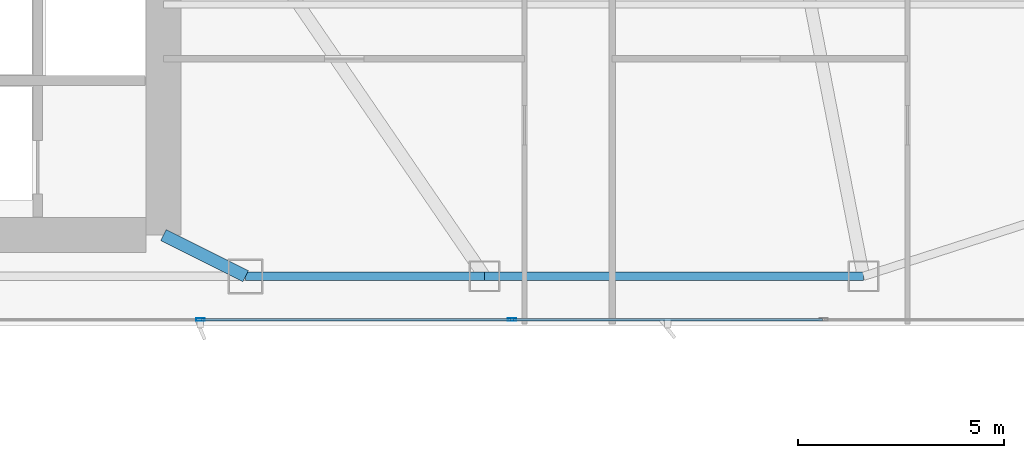
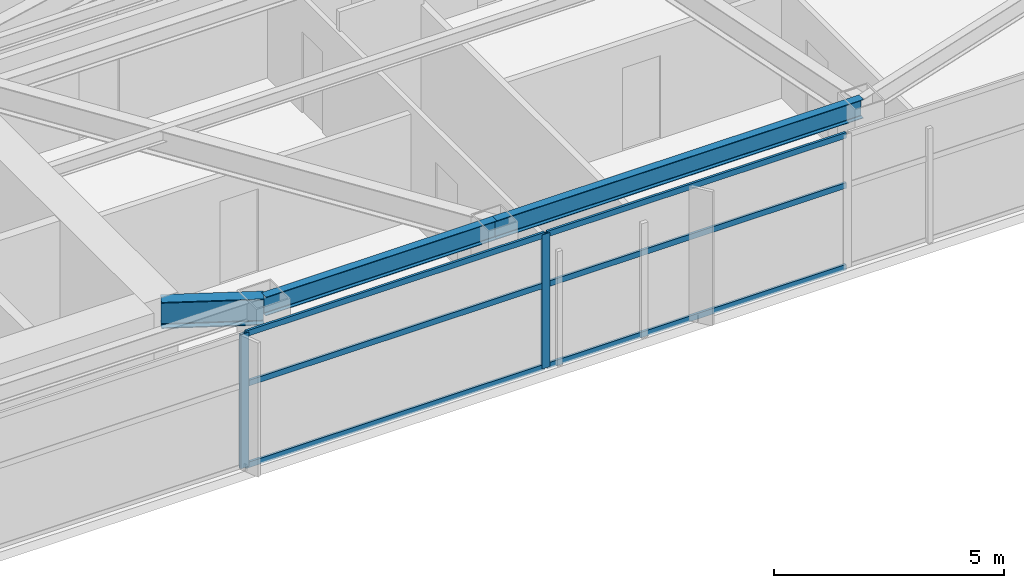
# One storey, part 12 of 28: 8 members, 3 beams, 1 element without a shape of its own.
"""IFC4 building model written with IfcOpenShell, lengths in metres."""

from ifc_helpers import new_model, si_unit, direction, frame, origin, origin_2d, place, context, subcontext, project, spatial, hollow_rectangle, i_section, extrude, material, layer, layer_set, material_profile, profile_set, type_object, element, aggregate, save


model = new_model("IFC4")

# Units and contexts
model_context = context("Model", 3, precision=1e-05, world=origin(), true_north=direction((0.0, 1.0)))
body_context = subcontext(model_context, "Body", "Model", "MODEL_VIEW")
ifc_project = project(units=[si_unit("LENGTHUNIT", "METRE"), si_unit("AREAUNIT", "SQUARE_METRE"), si_unit("VOLUMEUNIT", "CUBIC_METRE"), si_unit("PLANEANGLEUNIT", "RADIAN"), si_unit("MASSUNIT", "GRAM", prefix="KILO")], contexts=[model_context])

# Site, building, storey
site_placement = place(None, origin())
site = spatial("IfcSite", under=ifc_project, at=site_placement, CompositionType="ELEMENT")
building_placement = place(site_placement, origin())
building = spatial("IfcBuilding", under=site, at=building_placement, Name="Calvorn Quay Hotel", CompositionType="ELEMENT")
storey_placement = place(building_placement, frame((0.0, 0.0, 101.199951171875)))
storey = spatial("IfcBuildingStorey", under=building, at=storey_placement, Name="L24", CompositionType="ELEMENT", Elevation=101.199951171875)

# Beams
ifc_material_1 = material(Name="Steel Q390GJC", Category="steel")
ifc_material_profile_1 = material_profile(ifc_material_1, i_section(OverallWidth=0.300048828125, OverallDepth=0.699951171875, WebThickness=0.012939453125, FlangeThickness=0.02392578125, FilletRadius=0.02392578125, at=origin_2d()), Name="HN700x300x13x24")
ifc_profile_set_1 = profile_set([ifc_material_profile_1], Name="Steel Q390GJC")
beam_type_1 = type_object("IfcBeamType", Name="BM-GIRD-MAIN", PredefinedType="BEAM", material=ifc_profile_set_1)
beam_1_placement = place(storey_placement, frame((34.39990234375, 3.60009765625, 3.18994140625), z_axis=(-0.894427191, 0.4472135955, 0.0), x_axis=(-0.4472135955, -0.894427191, 0.0)))
element("IfcBeam", 1, at=beam_1_placement, inside=storey, type_object=beam_type_1, Name="Beam BG-L24-S3", PredefinedType="BEAM", context=body_context, shape_type="SweptSolid", body=[
    extrude(i_section(OverallWidth=0.300048828125, OverallDepth=0.699951171875, WebThickness=0.012939453125, FlangeThickness=0.02392578125, FilletRadius=0.02392578125, at=origin_2d()), origin(), (0.0, 0.0, 1.0), 2.236083984375),
])
ifc_material_2 = material(Name="Steel Q355B", Category="steel")
ifc_material_profile_2 = material_profile(ifc_material_2, i_section(OverallWidth=0.199951171875, OverallDepth=0.5, WebThickness=0.010009765625, FlangeThickness=0.01611328125, FilletRadius=0.01611328125, at=origin_2d()), Name="HN500x200x10x16")
ifc_profile_set_2 = profile_set([ifc_material_profile_2], Name="Steel Q355B")
beam_type_2 = type_object("IfcBeamType", Name="BM-SPANDREL-Z1", PredefinedType="SPANDREL", material=ifc_profile_set_2)
beam_2_placement = place(storey_placement, frame((34.39990234375, 3.60009765625, 3.2900390625), z_axis=(1.0, 0.0, 0.0), x_axis=(0.0, 1.0, 0.0)))
element("IfcBeam", 2, at=beam_2_placement, inside=storey, type_object=beam_type_2, Name="Beam BSP-L24-S4", PredefinedType="SPANDREL", context=body_context, shape_type="SweptSolid", body=[
    extrude(i_section(OverallWidth=0.199951171875, OverallDepth=0.5, WebThickness=0.010009765625, FlangeThickness=0.01611328125, FilletRadius=0.01611328125, at=origin_2d()), origin(), (0.0, 0.0, 1.0), 5.800048828125),
])
beam_3_placement = place(storey_placement, frame((40.199951171875, 3.60009765625, 3.2900390625), z_axis=(1.0, 0.0, 0.0), x_axis=(0.0, 1.0, 0.0)))
element("IfcBeam", 3, at=beam_3_placement, inside=storey, type_object=beam_type_2, Name="Beam BSP-L24-S5", PredefinedType="SPANDREL", context=body_context, shape_type="SweptSolid", body=[
    extrude(i_section(OverallWidth=0.199951171875, OverallDepth=0.5, WebThickness=0.010009765625, FlangeThickness=0.01611328125, FilletRadius=0.01611328125, at=origin_2d()), origin(), (0.0, 0.0, 1.0), 9.199951171875),
])

# Curtain wall, members
ifc_material_3 = material(Name="Pale Anodised Aluminium and Low-E Glass", Category="aluminium")
ifc_layer = layer(ifc_material_3, 0.219970703125)
ifc_layer_set = layer_set([ifc_layer], Name="CW-SYS-Z2")
curtain_wall_type = type_object("IfcCurtainWallType", Name="CW-SYS-Z2", PredefinedType="NOTDEFINED", material=ifc_layer_set)
curtain_wall_placement = place(storey_placement, origin())
curtain_wall = element("IfcCurtainWall", 4, at=curtain_wall_placement, inside=storey, type_object=curtain_wall_type, Name="Tower South Waterfront Curtain Wall (L24)", PredefinedType="NOTDEFINED")
ifc_material_4 = material(Name="Pale Anodised Aluminium 6063-T6", Category="aluminium")
ifc_material_profile_3 = material_profile(ifc_material_4, hollow_rectangle(XDim=0.070068359375, YDim=0.199951171875, WallThickness=0.00390625, at=origin_2d()), Name="ALU-M200x70x4")
ifc_profile_set_3 = profile_set([ifc_material_profile_3], Name="Pale Anodised Aluminium 6063-T6")
member_type_1 = type_object("IfcMemberType", Name="CW-SYS-Z2-MUL", PredefinedType="MULLION", material=ifc_profile_set_3)
member_1_placement = place(storey_placement, frame((33.300048828125, 2.550048828125, 0.0), z_axis=(0.0, 0.0, 1.0), x_axis=(0.0, 1.0, 0.0)))
member_1 = element("IfcMember", 5, at=member_1_placement, type_object=member_type_1, Name="CW-L24-S mullion 4", PredefinedType="MULLION", context=body_context, shape_type="SweptSolid", body=[
    extrude(hollow_rectangle(XDim=0.070068359375, YDim=0.199951171875, WallThickness=0.00390625, at=origin_2d()), origin(), (0.0, 0.0, 1.0), 3.56005859375),
])
member_2_placement = place(storey_placement, frame((40.86669921875, 2.550048828125, 0.0), z_axis=(0.0, 0.0, 1.0), x_axis=(0.0, 1.0, 0.0)))
member_2 = element("IfcMember", 6, at=member_2_placement, type_object=member_type_1, Name="CW-L24-S mullion 5", PredefinedType="MULLION", context=body_context, shape_type="SweptSolid", body=[
    extrude(hollow_rectangle(XDim=0.070068359375, YDim=0.199951171875, WallThickness=0.00390625, at=origin_2d()), origin(), (0.0, 0.0, 1.0), 3.56005859375),
])
ifc_material_5 = material(Name="Pale Anodised Aluminium 6063-T6", Category="aluminium")
ifc_material_profile_4 = material_profile(ifc_material_5, hollow_rectangle(XDim=0.06005859375, YDim=0.14990234375, WallThickness=0.00341796875, at=origin_2d()), Name="ALU-T150x60x3.5")
ifc_profile_set_4 = profile_set([ifc_material_profile_4], Name="Pale Anodised Aluminium 6063-T6")
member_type_2 = type_object("IfcMemberType", Name="CW-SYS-Z2-TRN", PredefinedType="USERDEFINED", material=ifc_profile_set_4)
member_3_placement = place(storey_placement, frame((33.330078125, 2.550048828125, 0.030029296875), z_axis=(1.0, 0.0, 0.0), x_axis=(0.0, 1.0, 0.0)))
member_3 = element("IfcMember", 7, at=member_3_placement, type_object=member_type_2, Name="CW-L24-S transom 4.1", ObjectType="TRANSOM", PredefinedType="USERDEFINED", context=body_context, shape_type="SweptSolid", body=[
    extrude(hollow_rectangle(XDim=0.06005859375, YDim=0.14990234375, WallThickness=0.00341796875, at=origin_2d()), origin(), (0.0, 0.0, 1.0), 7.506591796875),
])
member_4_placement = place(storey_placement, frame((33.330078125, 2.550048828125, 2.199951171875), z_axis=(1.0, 0.0, 0.0), x_axis=(0.0, 1.0, 0.0)))
member_4 = element("IfcMember", 8, at=member_4_placement, type_object=member_type_2, Name="CW-L24-S transom 4.2", ObjectType="TRANSOM", PredefinedType="USERDEFINED", context=body_context, shape_type="SweptSolid", body=[
    extrude(hollow_rectangle(XDim=0.06005859375, YDim=0.14990234375, WallThickness=0.00341796875, at=origin_2d()), origin(), (0.0, 0.0, 1.0), 7.506591796875),
])
member_5_placement = place(storey_placement, frame((33.330078125, 2.550048828125, 3.530029296875), z_axis=(1.0, 0.0, 0.0), x_axis=(0.0, 1.0, 0.0)))
member_5 = element("IfcMember", 9, at=member_5_placement, type_object=member_type_2, Name="CW-L24-S transom 4.3", ObjectType="TRANSOM", PredefinedType="USERDEFINED", context=body_context, shape_type="SweptSolid", body=[
    extrude(hollow_rectangle(XDim=0.06005859375, YDim=0.14990234375, WallThickness=0.00341796875, at=origin_2d()), origin(), (0.0, 0.0, 1.0), 7.506591796875),
])
member_6_placement = place(storey_placement, frame((40.896728515625, 2.550048828125, 0.030029296875), z_axis=(1.0, 0.0, 0.0), x_axis=(0.0, 1.0, 0.0)))
member_6 = element("IfcMember", 10, at=member_6_placement, type_object=member_type_2, Name="CW-L24-S transom 5.1", ObjectType="TRANSOM", PredefinedType="USERDEFINED", context=body_context, shape_type="SweptSolid", body=[
    extrude(hollow_rectangle(XDim=0.06005859375, YDim=0.14990234375, WallThickness=0.00341796875, at=origin_2d()), origin(), (0.0, 0.0, 1.0), 7.506591796875),
])
member_7_placement = place(storey_placement, frame((40.896728515625, 2.550048828125, 2.199951171875), z_axis=(1.0, 0.0, 0.0), x_axis=(0.0, 1.0, 0.0)))
member_7 = element("IfcMember", 11, at=member_7_placement, type_object=member_type_2, Name="CW-L24-S transom 5.2", ObjectType="TRANSOM", PredefinedType="USERDEFINED", context=body_context, shape_type="SweptSolid", body=[
    extrude(hollow_rectangle(XDim=0.06005859375, YDim=0.14990234375, WallThickness=0.00341796875, at=origin_2d()), origin(), (0.0, 0.0, 1.0), 7.506591796875),
])
member_8_placement = place(storey_placement, frame((40.896728515625, 2.550048828125, 3.530029296875), z_axis=(1.0, 0.0, 0.0), x_axis=(0.0, 1.0, 0.0)))
member_8 = element("IfcMember", 12, at=member_8_placement, type_object=member_type_2, Name="CW-L24-S transom 5.3", ObjectType="TRANSOM", PredefinedType="USERDEFINED", context=body_context, shape_type="SweptSolid", body=[
    extrude(hollow_rectangle(XDim=0.06005859375, YDim=0.14990234375, WallThickness=0.00341796875, at=origin_2d()), origin(), (0.0, 0.0, 1.0), 7.506591796875),
])
aggregate(curtain_wall, [member_1, member_2, member_3, member_4, member_5, member_6, member_7, member_8])

save(model, "model.ifc")
